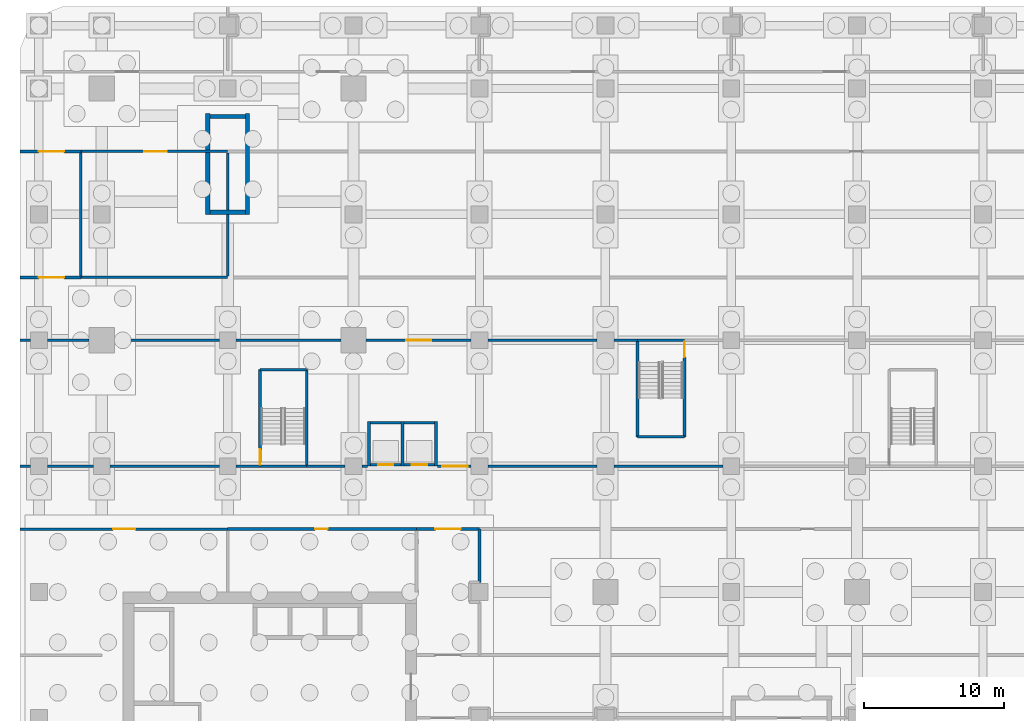
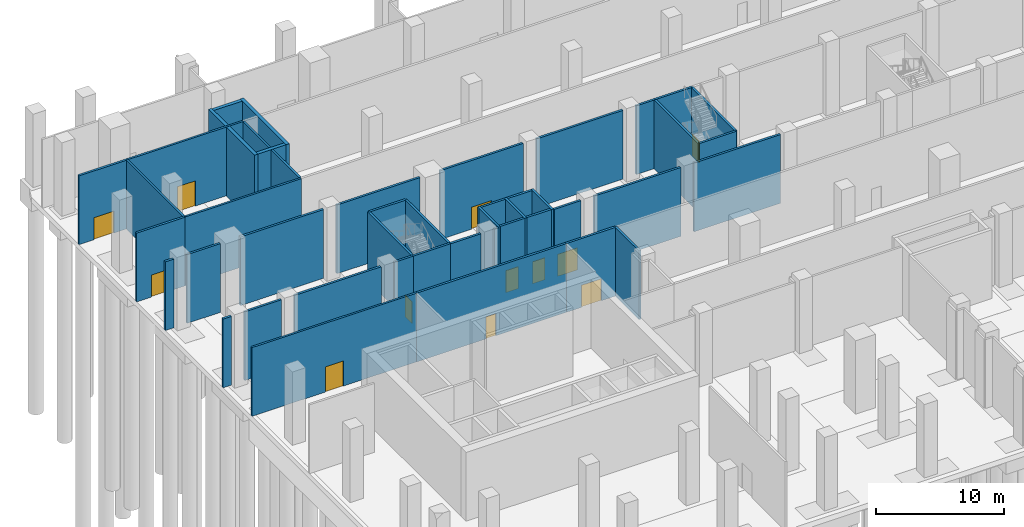
# One storey, part 9 of 23: 43 walls, 12 doors, 12 openings.
"""IFC4 building model written with IfcOpenShell, lengths in metres."""

from ifc_helpers import new_model, si_unit, direction, frame, frame_2d, origin, place, context, subcontext, project, spatial, rectangle, extrude, material, layer, layer_set, type_object, element, fill, save


model = new_model("IFC4")

# Units and contexts
model_context = context("Model", 3, precision=1e-05, world=origin(), true_north=direction((0.0, 1.0)))
body_context = subcontext(model_context, "Body", "Model", "MODEL_VIEW")
ifc_project = project(units=[si_unit("LENGTHUNIT", "METRE"), si_unit("AREAUNIT", "SQUARE_METRE"), si_unit("VOLUMEUNIT", "CUBIC_METRE"), si_unit("PLANEANGLEUNIT", "RADIAN"), si_unit("MASSUNIT", "GRAM", prefix="KILO")], contexts=[model_context])

# Site, building, storey
site_placement = place(None, origin())
site = spatial("IfcSite", under=ifc_project, at=site_placement, CompositionType="ELEMENT")
building_placement = place(site_placement, origin())
building = spatial("IfcBuilding", under=site, at=building_placement, Name="Plateau Cross Towers", CompositionType="ELEMENT")
storey_placement = place(building_placement, frame((0.0, 0.0, -7.0)))
storey = spatial("IfcBuildingStorey", under=building, at=storey_placement, Name="B1", CompositionType="ELEMENT", Elevation=-7.0)

# Wall, openings, doors
ifc_material_1 = material(Name="Concrete block, plastered both sides", Category="concrete")
ifc_layer_1 = layer(ifc_material_1, 0.199951171875)
ifc_layer_set_1 = layer_set([ifc_layer_1], Name="Concrete block, plastered both sides")
wall_type_1 = type_object("IfcWallType", Name="Core partition 200", PredefinedType="PARTITIONING", material=ifc_layer_set_1)
wall_1_placement = place(storey_placement, frame((19.0, 27.10009765625, 0.0), z_axis=(0.0, 0.0, 1.0), x_axis=(1.0, 0.0, 0.0)))
wall_1 = element("IfcWall", 1, at=wall_1_placement, inside=storey, type_object=wall_type_1, Name="Core partition", PredefinedType="PARTITIONING", context=body_context, shape_type="SweptSolid", body=[
    extrude(rectangle(XDim=5.0, YDim=0.199951171875, at=frame_2d((2.5, 0.0))), origin(), (0.0, 0.0, 1.0), 6.550048828125),
])
opening_1_placement = place(wall_1_placement, frame((0.75, 0.0, 0.0)))
opening_1 = element("IfcOpeningElement", 2, at=opening_1_placement, cuts=wall_1, Name="Opening LD", PredefinedType="OPENING", context=body_context, shape_type="SweptSolid", body=[
    extrude(rectangle(XDim=1.10009765625, YDim=2.10009765625, at=frame_2d((0.550048828125, 1.050048828125))), frame((0.0, 0.10986328125, 0.0), z_axis=(0.0, -1.0, 0.0), x_axis=(1.0, 0.0, 0.0)), (0.0, 0.0, 1.0), 0.219970703125),
])
opening_2_placement = place(wall_1_placement, frame((3.14990234375, 0.0, 0.0)))
opening_2 = element("IfcOpeningElement", 3, at=opening_2_placement, cuts=wall_1, Name="Opening LD", PredefinedType="OPENING", context=body_context, shape_type="SweptSolid", body=[
    extrude(rectangle(XDim=1.10009765625, YDim=2.10009765625, at=frame_2d((0.550048828125, 1.050048828125))), frame((0.0, 0.10986328125, 0.0), z_axis=(0.0, -1.0, 0.0), x_axis=(1.0, 0.0, 0.0)), (0.0, 0.0, 1.0), 0.219970703125),
])
ifc_material_2 = material(Name="Stainless steel, fire-resisting sliding leaves", Category="steel")
door_type_1 = type_object("IfcDoorType", Name="Lift landing door 1100", OperationType="NOTDEFINED", PredefinedType="DOOR", material=ifc_material_2)
door_1_placement = place(opening_1_placement, origin())
door_1 = element("IfcDoor", 4, at=door_1_placement, inside=storey, type_object=door_type_1, Name="Lift landing door LD", OperationType="DOUBLE_DOOR_SLIDING", OverallHeight=2.10009765625, OverallWidth=1.10009765625, PredefinedType="DOOR", context=body_context, shape_type="SweptSolid", body=[
    extrude(rectangle(XDim=1.10009765625, YDim=2.10009765625, at=frame_2d((0.550048828125, 1.050048828125))), frame((0.0, 0.02490234375, 0.0), z_axis=(0.0, -1.0, 0.0), x_axis=(1.0, 0.0, 0.0)), (0.0, 0.0, 1.0), 0.050048828125),
])
fill(opening_1, door_1)
door_2_placement = place(opening_2_placement, origin())
door_2 = element("IfcDoor", 5, at=door_2_placement, inside=storey, type_object=door_type_1, Name="Lift landing door LD", OperationType="DOUBLE_DOOR_SLIDING", OverallHeight=2.10009765625, OverallWidth=1.10009765625, PredefinedType="DOOR", context=body_context, shape_type="SweptSolid", body=[
    extrude(rectangle(XDim=1.10009765625, YDim=2.10009765625, at=frame_2d((0.550048828125, 1.050048828125))), frame((0.0, 0.02490234375, 0.0), z_axis=(0.0, -1.0, 0.0), x_axis=(1.0, 0.0, 0.0)), (0.0, 0.0, 1.0), 0.050048828125),
])
fill(opening_2, door_2)

# Walls
wall_2_placement = place(storey_placement, frame((19.0, 30.10009765625, 0.0), z_axis=(0.0, 0.0, 1.0), x_axis=(1.0, 0.0, 0.0)))
element("IfcWall", 6, at=wall_2_placement, inside=storey, type_object=wall_type_1, Name="Core partition", PredefinedType="PARTITIONING", context=body_context, shape_type="SweptSolid", body=[
    extrude(rectangle(XDim=5.0, YDim=0.199951171875, at=frame_2d((2.5, 0.0))), origin(), (0.0, 0.0, 1.0), 6.550048828125),
])
for number, where, z_axis, x_axis, name in (
    (7, (19.10009765625, 27.0, 0.0), (0.0, 0.0, 1.0), (0.0, 1.0, 0.0), "Core partition"),
    (8, (21.5, 27.0, 0.0), (0.0, 0.0, 1.0), (0.0, 1.0, 0.0), "Core partition"),
    (9, (23.89990234375, 27.0, 0.0), (0.0, 0.0, 1.0), (0.0, 1.0, 0.0), "Core partition"),
):
    element("IfcWall", number, at=place(storey_placement, frame(where, z_axis=z_axis, x_axis=x_axis)), inside=storey, type_object=wall_type_1, Name=name, PredefinedType="PARTITIONING", context=body_context, shape_type="SweptSolid", body=[
        extrude(rectangle(XDim=3.199951171875, YDim=0.199951171875, at=frame_2d((1.60009765625, 0.0))), origin(), (0.0, 0.0, 1.0), 6.550048828125),
    ])

# Wall, opening, door
ifc_material_3 = material(Name="Dense masonry block, plastered, acoustic lining", Category="masonry")
ifc_layer_2 = layer(ifc_material_3, 0.179931640625)
ifc_layer_set_2 = layer_set([ifc_layer_2], Name="Dense masonry block, plastered, acoustic lining")
wall_type_2 = type_object("IfcWallType", Name="Plant room acoustic wall 180", PredefinedType="PARTITIONING", material=ifc_layer_set_2)
wall_3_placement = place(storey_placement, frame((9.0, 22.5, 0.0), z_axis=(0.0, 0.0, 1.0), x_axis=(-1.0, 0.0, 0.0)))
wall_3 = element("IfcWall", 10, at=wall_3_placement, inside=storey, type_object=wall_type_2, Name="Partition wall", PredefinedType="PARTITIONING", context=body_context, shape_type="SweptSolid", body=[
    extrude(rectangle(XDim=14.85009765625, YDim=0.179931640625, at=frame_2d((7.425048828125, 0.0))), origin(), (0.0, 0.0, 1.0), 6.550048828125),
])
opening_3_placement = place(wall_3_placement, frame((6.60009765625, 0.0, 0.0)))
opening_3 = element("IfcOpeningElement", 11, at=opening_3_placement, cuts=wall_3, Name="Opening B1-10", PredefinedType="OPENING", context=body_context, shape_type="SweptSolid", body=[
    extrude(rectangle(XDim=1.60009765625, YDim=2.39990234375, at=frame_2d((0.800048828125, 1.199951171875))), frame((0.0, 0.099853515625, 0.0), z_axis=(0.0, -1.0, 0.0), x_axis=(1.0, 0.0, 0.0)), (0.0, 0.0, 1.0), 0.199951171875),
])
ifc_material_4 = material(Name="Steel, fire-resisting double leaf with louvre panel", Category="steel")
door_type_2 = type_object("IfcDoorType", Name="Plant room double door 1600x2400", OperationType="NOTDEFINED", PredefinedType="DOOR", material=ifc_material_4)
door_3_placement = place(opening_3_placement, origin())
door_3 = element("IfcDoor", 12, at=door_3_placement, inside=storey, type_object=door_type_2, Name="Door B1-10", OperationType="SINGLE_SWING_LEFT", OverallHeight=2.39990234375, OverallWidth=1.60009765625, PredefinedType="DOOR", context=body_context, shape_type="SweptSolid", body=[
    extrude(rectangle(XDim=1.60009765625, YDim=2.39990234375, at=frame_2d((0.800048828125, 1.199951171875))), frame((0.0, 0.02490234375, 0.0), z_axis=(0.0, -1.0, 0.0), x_axis=(1.0, 0.0, 0.0)), (0.0, 0.0, 1.0), 0.050048828125),
])
fill(opening_3, door_3)

wall_4_placement = place(storey_placement, frame((9.0, 49.5, 0.0), z_axis=(0.0, 0.0, 1.0), x_axis=(-1.0, 0.0, 0.0)))
wall_4 = element("IfcWall", 13, at=wall_4_placement, inside=storey, type_object=wall_type_2, Name="Partition wall", PredefinedType="PARTITIONING", context=body_context, shape_type="SweptSolid", body=[
    extrude(rectangle(XDim=10.5, YDim=0.179931640625, at=frame_2d((5.25, 0.0))), origin(), (0.0, 0.0, 1.0), 6.550048828125),
])
opening_4_placement = place(wall_4_placement, frame((4.35009765625, 0.0, 0.0)))
opening_4 = element("IfcOpeningElement", 14, at=opening_4_placement, cuts=wall_4, Name="Opening B1-11", PredefinedType="OPENING", context=body_context, shape_type="SweptSolid", body=[
    extrude(rectangle(XDim=1.60009765625, YDim=2.39990234375, at=frame_2d((0.800048828125, 1.199951171875))), frame((0.0, 0.099853515625, 0.0), z_axis=(0.0, -1.0, 0.0), x_axis=(1.0, 0.0, 0.0)), (0.0, 0.0, 1.0), 0.199951171875),
])
door_4_placement = place(opening_4_placement, origin())
door_4 = element("IfcDoor", 15, at=door_4_placement, inside=storey, type_object=door_type_2, Name="Door B1-11", OperationType="SINGLE_SWING_LEFT", OverallHeight=2.39990234375, OverallWidth=1.60009765625, PredefinedType="DOOR", context=body_context, shape_type="SweptSolid", body=[
    extrude(rectangle(XDim=1.60009765625, YDim=2.39990234375, at=frame_2d((0.800048828125, 1.199951171875))), frame((0.0, 0.02490234375, 0.0), z_axis=(0.0, -1.0, 0.0), x_axis=(1.0, 0.0, 0.0)), (0.0, 0.0, 1.0), 0.050048828125),
])
fill(opening_4, door_4)

# Walls
wall_5_placement = place(storey_placement, frame((-1.5, 40.5, 0.0), z_axis=(0.0, 0.0, 1.0), x_axis=(1.0, 0.0, 0.0)))
element("IfcWall", 16, at=wall_5_placement, inside=storey, type_object=wall_type_2, Name="Partition wall", PredefinedType="PARTITIONING", context=body_context, shape_type="SweptSolid", body=[
    extrude(rectangle(XDim=10.5, YDim=0.179931640625, at=frame_2d((5.25, 0.0))), origin(), (0.0, 0.0, 1.0), 6.550048828125),
])
wall_6_placement = place(storey_placement, frame((-1.5, 49.5, 0.0), z_axis=(0.0, 0.0, 1.0), x_axis=(0.0, -1.0, 0.0)))
element("IfcWall", 17, at=wall_6_placement, inside=storey, type_object=wall_type_2, Name="Partition wall", PredefinedType="PARTITIONING", context=body_context, shape_type="SweptSolid", body=[
    extrude(rectangle(XDim=9.0, YDim=0.179931640625, at=frame_2d((4.5, 0.0))), origin(), (0.0, 0.0, 1.0), 6.550048828125),
])
wall_7_placement = place(storey_placement, frame((9.0, 40.60009765625, 0.0), z_axis=(0.0, 0.0, 1.0), x_axis=(0.0, 1.0, 0.0)))
element("IfcWall", 18, at=wall_7_placement, inside=storey, type_object=wall_type_2, Name="Partition wall", PredefinedType="PARTITIONING", context=body_context, shape_type="SweptSolid", body=[
    extrude(rectangle(XDim=8.7998046875, YDim=0.179931640625, at=frame_2d((4.39990234375, 0.0))), origin(), (0.0, 0.0, 1.0), 6.550048828125),
])
ifc_material_5 = material(Name="Gypsum board on steel studs", Category="steel")
ifc_layer_3 = layer(ifc_material_5, 0.199951171875)
ifc_layer_set_3 = layer_set([ifc_layer_3], Name="Gypsum board on steel studs")
wall_type_3 = type_object("IfcWallType", Name="Podium partition 200", PredefinedType="PARTITIONING", material=ifc_layer_set_3)
wall_8_placement = place(storey_placement, frame((38.300048828125, 36.0, 0.0), z_axis=(0.0, 0.0, 1.0), x_axis=(-1.0, 0.0, 0.0)))
element("IfcWall", 19, at=wall_8_placement, inside=storey, type_object=wall_type_3, Name="Partition wall", PredefinedType="PARTITIONING", context=body_context, shape_type="SweptSolid", body=[
    extrude(rectangle(XDim=1.699951171875, YDim=0.199951171875, at=frame_2d((0.85009765625, 0.0))), origin(), (0.0, 0.0, 1.0), 6.550048828125),
])
wall_9_placement = place(storey_placement, frame((35.39990234375, 36.0, 0.0), z_axis=(0.0, 0.0, 1.0), x_axis=(-1.0, 0.0, 0.0)))
element("IfcWall", 20, at=wall_9_placement, inside=storey, type_object=wall_type_3, Name="Partition wall", PredefinedType="PARTITIONING", context=body_context, shape_type="SweptSolid", body=[
    extrude(rectangle(XDim=7.7998046875, YDim=0.199951171875, at=frame_2d((3.89990234375, 0.0))), origin(), (0.0, 0.0, 1.0), 6.550048828125),
])

# Wall, opening, door
wall_10_placement = place(storey_placement, frame((26.39990234375, 36.0, 0.0), z_axis=(0.0, 0.0, 1.0), x_axis=(-1.0, 0.0, 0.0)))
wall_10 = element("IfcWall", 21, at=wall_10_placement, inside=storey, type_object=wall_type_3, Name="Partition wall", PredefinedType="PARTITIONING", context=body_context, shape_type="SweptSolid", body=[
    extrude(rectangle(XDim=7.5, YDim=0.199951171875, at=frame_2d((3.75, 0.0))), origin(), (0.0, 0.0, 1.0), 6.550048828125),
])
opening_5_placement = place(wall_10_placement, frame((2.85009765625, 0.0, 0.0)))
opening_5 = element("IfcOpeningElement", 22, at=opening_5_placement, cuts=wall_10, Name="Opening B1-29", PredefinedType="OPENING", context=body_context, shape_type="SweptSolid", body=[
    extrude(rectangle(XDim=1.800048828125, YDim=2.10009765625, at=frame_2d((0.89990234375, 1.050048828125))), frame((0.0, 0.10986328125, 0.0), z_axis=(0.0, -1.0, 0.0), x_axis=(1.0, 0.0, 0.0)), (0.0, 0.0, 1.0), 0.219970703125),
])
ifc_material_6 = material(Name="Aluminium frame, toughened glass", Category="aluminium")
door_type_3 = type_object("IfcDoorType", Name="Podium door pair 1800", OperationType="NOTDEFINED", PredefinedType="DOOR", material=ifc_material_6)
door_5_placement = place(opening_5_placement, origin())
door_5 = element("IfcDoor", 23, at=door_5_placement, inside=storey, type_object=door_type_3, Name="Door B1-29", OperationType="DOUBLE_DOOR_SINGLE_SWING", OverallHeight=2.10009765625, OverallWidth=1.800048828125, PredefinedType="DOOR", context=body_context, shape_type="SweptSolid", body=[
    extrude(rectangle(XDim=1.800048828125, YDim=2.10009765625, at=frame_2d((0.89990234375, 1.050048828125))), frame((0.0, 0.02490234375, 0.0), z_axis=(0.0, -1.0, 0.0), x_axis=(1.0, 0.0, 0.0)), (0.0, 0.0, 1.0), 0.050048828125),
])
fill(opening_5, door_5)

# Walls
for number, where, z_axis, x_axis, name in (
    (24, (17.10009765625, 36.0, 0.0), (0.0, 0.0, 1.0), (-1.0, 0.0, 0.0), "Partition wall"),
    (25, (8.39990234375, 36.0, 0.0), (0.0, 0.0, 1.0), (-1.0, 0.0, 0.0), "Partition wall"),
):
    element("IfcWall", number, at=place(storey_placement, frame(where, z_axis=z_axis, x_axis=x_axis)), inside=storey, type_object=wall_type_3, Name=name, PredefinedType="PARTITIONING", context=body_context, shape_type="SweptSolid", body=[
        extrude(rectangle(XDim=7.5, YDim=0.199951171875, at=frame_2d((3.75, 0.0))), origin(), (0.0, 0.0, 1.0), 6.550048828125),
    ])
wall_11_placement = place(storey_placement, frame((-0.89990234375, 36.0, 0.0), z_axis=(0.0, 0.0, 1.0), x_axis=(-1.0, 0.0, 0.0)))
element("IfcWall", 26, at=wall_11_placement, inside=storey, type_object=wall_type_3, Name="Partition wall", PredefinedType="PARTITIONING", context=body_context, shape_type="SweptSolid", body=[
    extrude(rectangle(XDim=3.0, YDim=0.199951171875, at=frame_2d((1.5, 0.0))), origin(), (0.0, 0.0, 1.0), 6.550048828125),
])
wall_12_placement = place(storey_placement, frame((-5.10009765625, 36.0, 0.0), z_axis=(0.0, 0.0, 1.0), x_axis=(-1.0, 0.0, 0.0)))
element("IfcWall", 27, at=wall_12_placement, inside=storey, type_object=wall_type_3, Name="Partition wall", PredefinedType="PARTITIONING", context=body_context, shape_type="SweptSolid", body=[
    extrude(rectangle(XDim=0.75, YDim=0.199951171875, at=frame_2d((0.375, 0.0))), origin(), (0.0, 0.0, 1.0), 6.550048828125),
])

# Wall, opening, door
wall_13_placement = place(storey_placement, frame((24.0, 27.0, 0.0), z_axis=(0.0, 0.0, 1.0), x_axis=(1.0, 0.0, 0.0)))
wall_13 = element("IfcWall", 28, at=wall_13_placement, inside=storey, type_object=wall_type_3, Name="Partition wall", PredefinedType="PARTITIONING", context=body_context, shape_type="SweptSolid", body=[
    extrude(rectangle(XDim=2.39990234375, YDim=0.199951171875, at=frame_2d((1.199951171875, 0.0))), origin(), (0.0, 0.0, 1.0), 6.550048828125),
])
opening_6_placement = place(wall_13_placement, frame((0.35009765625, 0.0, 0.0)))
opening_6 = element("IfcOpeningElement", 29, at=opening_6_placement, cuts=wall_13, Name="Opening B1-30", PredefinedType="OPENING", context=body_context, shape_type="SweptSolid", body=[
    extrude(rectangle(XDim=1.800048828125, YDim=2.10009765625, at=frame_2d((0.89990234375, 1.050048828125))), frame((0.0, 0.10986328125, 0.0), z_axis=(0.0, -1.0, 0.0), x_axis=(1.0, 0.0, 0.0)), (0.0, 0.0, 1.0), 0.219970703125),
])
door_6_placement = place(opening_6_placement, origin())
door_6 = element("IfcDoor", 30, at=door_6_placement, inside=storey, type_object=door_type_3, Name="Door B1-30", OperationType="DOUBLE_DOOR_SINGLE_SWING", OverallHeight=2.10009765625, OverallWidth=1.800048828125, PredefinedType="DOOR", context=body_context, shape_type="SweptSolid", body=[
    extrude(rectangle(XDim=1.800048828125, YDim=2.10009765625, at=frame_2d((0.89990234375, 1.050048828125))), frame((0.0, 0.02490234375, 0.0), z_axis=(0.0, -1.0, 0.0), x_axis=(1.0, 0.0, 0.0)), (0.0, 0.0, 1.0), 0.050048828125),
])
fill(opening_6, door_6)

# Walls
for number, where, z_axis, x_axis, name in (
    (31, (27.60009765625, 27.0, 0.0), (0.0, 0.0, 1.0), (1.0, 0.0, 0.0), "Partition wall"),
    (32, (36.60009765625, 27.0, 0.0), (0.0, 0.0, 1.0), (1.0, 0.0, 0.0), "Partition wall"),
):
    element("IfcWall", number, at=place(storey_placement, frame(where, z_axis=z_axis, x_axis=x_axis)), inside=storey, type_object=wall_type_3, Name=name, PredefinedType="PARTITIONING", context=body_context, shape_type="SweptSolid", body=[
        extrude(rectangle(XDim=7.7998046875, YDim=0.199951171875, at=frame_2d((3.89990234375, 0.0))), origin(), (0.0, 0.0, 1.0), 6.550048828125),
    ])
wall_14_placement = place(storey_placement, frame((-5.85009765625, 27.0, 0.0), z_axis=(0.0, 0.0, 1.0), x_axis=(1.0, 0.0, 0.0)))
element("IfcWall", 33, at=wall_14_placement, inside=storey, type_object=wall_type_3, Name="Partition wall", PredefinedType="PARTITIONING", context=body_context, shape_type="SweptSolid", body=[
    extrude(rectangle(XDim=0.75, YDim=0.199951171875, at=frame_2d((0.375, 0.0))), origin(), (0.0, 0.0, 1.0), 6.550048828125),
])
wall_15_placement = place(storey_placement, frame((-3.89990234375, 27.0, 0.0), z_axis=(0.0, 0.0, 1.0), x_axis=(1.0, 0.0, 0.0)))
element("IfcWall", 34, at=wall_15_placement, inside=storey, type_object=wall_type_3, Name="Partition wall", PredefinedType="PARTITIONING", context=body_context, shape_type="SweptSolid", body=[
    extrude(rectangle(XDim=3.2998046875, YDim=0.199951171875, at=frame_2d((1.64990234375, 0.0))), origin(), (0.0, 0.0, 1.0), 6.550048828125),
])
wall_16_placement = place(storey_placement, frame((0.60009765625, 27.0, 0.0), z_axis=(0.0, 0.0, 1.0), x_axis=(1.0, 0.0, 0.0)))
element("IfcWall", 35, at=wall_16_placement, inside=storey, type_object=wall_type_3, Name="Partition wall", PredefinedType="PARTITIONING", context=body_context, shape_type="SweptSolid", body=[
    extrude(rectangle(XDim=7.7998046875, YDim=0.199951171875, at=frame_2d((3.89990234375, 0.0))), origin(), (0.0, 0.0, 1.0), 6.550048828125),
])
wall_17_placement = place(storey_placement, frame((9.60009765625, 27.0, 0.0), z_axis=(0.0, 0.0, 1.0), x_axis=(1.0, 0.0, 0.0)))
element("IfcWall", 36, at=wall_17_placement, inside=storey, type_object=wall_type_3, Name="Partition wall", PredefinedType="PARTITIONING", context=body_context, shape_type="SweptSolid", body=[
    extrude(rectangle(XDim=1.699951171875, YDim=0.199951171875, at=frame_2d((0.85009765625, 0.0))), origin(), (0.0, 0.0, 1.0), 6.550048828125),
])

# Wall, opening, door
wall_18_placement = place(storey_placement, frame((22.5, 22.5, 0.0), z_axis=(0.0, 0.0, 1.0), x_axis=(-1.0, 0.0, 0.0)))
wall_18 = element("IfcWall", 37, at=wall_18_placement, inside=storey, type_object=wall_type_3, Name="Partition wall", PredefinedType="PARTITIONING", context=body_context, shape_type="SweptSolid", body=[
    extrude(rectangle(XDim=13.5, YDim=0.199951171875, at=frame_2d((6.75, 0.0))), origin(), (0.0, 0.0, 1.0), 6.550048828125),
])
opening_7_placement = place(wall_18_placement, frame((6.35009765625, 0.0, 0.0)))
opening_7 = element("IfcOpeningElement", 38, at=opening_7_placement, cuts=wall_18, Name="Opening B1-07", PredefinedType="OPENING", context=body_context, shape_type="SweptSolid", body=[
    extrude(rectangle(XDim=0.89990234375, YDim=2.10009765625, at=frame_2d((0.449951171875, 1.050048828125))), frame((0.0, 0.10986328125, 0.0), z_axis=(0.0, -1.0, 0.0), x_axis=(1.0, 0.0, 0.0)), (0.0, 0.0, 1.0), 0.219970703125),
])
ifc_material_7 = material(Name="Timber leaf", Category="wood")
door_type_4 = type_object("IfcDoorType", Name="Podium room door 900", OperationType="NOTDEFINED", PredefinedType="DOOR", material=ifc_material_7)
door_7_placement = place(opening_7_placement, origin())
door_7 = element("IfcDoor", 39, at=door_7_placement, inside=storey, type_object=door_type_4, Name="Door B1-07", OperationType="SINGLE_SWING_LEFT", OverallHeight=2.10009765625, OverallWidth=0.89990234375, PredefinedType="DOOR", context=body_context, shape_type="SweptSolid", body=[
    extrude(rectangle(XDim=0.89990234375, YDim=2.10009765625, at=frame_2d((0.449951171875, 1.050048828125))), frame((0.0, 0.02490234375, 0.0), z_axis=(0.0, -1.0, 0.0), x_axis=(1.0, 0.0, 0.0)), (0.0, 0.0, 1.0), 0.050048828125),
])
fill(opening_7, door_7)

# Wall
wall_19_placement = place(storey_placement, frame((27.0, 22.5, 0.0), z_axis=(0.0, 0.0, 1.0), x_axis=(0.0, -1.0, 0.0)))
element("IfcWall", 40, at=wall_19_placement, inside=storey, type_object=wall_type_3, Name="Partition wall", PredefinedType="PARTITIONING", context=body_context, shape_type="SweptSolid", body=[
    extrude(rectangle(XDim=3.800048828125, YDim=0.199951171875, at=frame_2d((1.89990234375, 0.0))), origin(), (0.0, 0.0, 1.0), 6.550048828125),
])

# Wall, opening, door
wall_20_placement = place(storey_placement, frame((27.0, 22.5, 0.0), z_axis=(0.0, 0.0, 1.0), x_axis=(-1.0, 0.0, 0.0)))
wall_20 = element("IfcWall", 41, at=wall_20_placement, inside=storey, type_object=wall_type_3, Name="Partition wall", PredefinedType="PARTITIONING", context=body_context, shape_type="SweptSolid", body=[
    extrude(rectangle(XDim=4.5, YDim=0.199951171875, at=frame_2d((2.25, 0.0))), origin(), (0.0, 0.0, 1.0), 6.550048828125),
])
opening_8_placement = place(wall_20_placement, frame((1.35009765625, 0.0, 0.0)))
opening_8 = element("IfcOpeningElement", 42, at=opening_8_placement, cuts=wall_20, Name="Opening B1-31", PredefinedType="OPENING", context=body_context, shape_type="SweptSolid", body=[
    extrude(rectangle(XDim=1.800048828125, YDim=2.10009765625, at=frame_2d((0.89990234375, 1.050048828125))), frame((0.0, 0.10986328125, 0.0), z_axis=(0.0, -1.0, 0.0), x_axis=(1.0, 0.0, 0.0)), (0.0, 0.0, 1.0), 0.219970703125),
])
door_8_placement = place(opening_8_placement, origin())
door_8 = element("IfcDoor", 43, at=door_8_placement, inside=storey, type_object=door_type_3, Name="Door B1-31", OperationType="DOUBLE_DOOR_SINGLE_SWING", OverallHeight=2.10009765625, OverallWidth=1.800048828125, PredefinedType="DOOR", context=body_context, shape_type="SweptSolid", body=[
    extrude(rectangle(XDim=1.800048828125, YDim=2.10009765625, at=frame_2d((0.89990234375, 1.050048828125))), frame((0.0, 0.02490234375, 0.0), z_axis=(0.0, -1.0, 0.0), x_axis=(1.0, 0.0, 0.0)), (0.0, 0.0, 1.0), 0.050048828125),
])
fill(opening_8, door_8)

wall_21_placement = place(storey_placement, frame((-5.85009765625, 40.5, 0.0), z_axis=(0.0, 0.0, 1.0), x_axis=(1.0, 0.0, 0.0)))
wall_21 = element("IfcWall", 44, at=wall_21_placement, inside=storey, type_object=wall_type_3, Name="Partition wall", PredefinedType="PARTITIONING", context=body_context, shape_type="SweptSolid", body=[
    extrude(rectangle(XDim=4.35009765625, YDim=0.199951171875, at=frame_2d((2.175048828125, 0.0))), origin(), (0.0, 0.0, 1.0), 6.550048828125),
])
opening_9_placement = place(wall_21_placement, frame((1.35009765625, 0.0, 0.0)))
opening_9 = element("IfcOpeningElement", 45, at=opening_9_placement, cuts=wall_21, Name="Opening B1-34", PredefinedType="OPENING", context=body_context, shape_type="SweptSolid", body=[
    extrude(rectangle(XDim=1.800048828125, YDim=2.10009765625, at=frame_2d((0.89990234375, 1.050048828125))), frame((0.0, 0.10986328125, 0.0), z_axis=(0.0, -1.0, 0.0), x_axis=(1.0, 0.0, 0.0)), (0.0, 0.0, 1.0), 0.219970703125),
])
door_9_placement = place(opening_9_placement, origin())
door_9 = element("IfcDoor", 46, at=door_9_placement, inside=storey, type_object=door_type_3, Name="Door B1-34", OperationType="DOUBLE_DOOR_SINGLE_SWING", OverallHeight=2.10009765625, OverallWidth=1.800048828125, PredefinedType="DOOR", context=body_context, shape_type="SweptSolid", body=[
    extrude(rectangle(XDim=1.800048828125, YDim=2.10009765625, at=frame_2d((0.89990234375, 1.050048828125))), frame((0.0, 0.02490234375, 0.0), z_axis=(0.0, -1.0, 0.0), x_axis=(1.0, 0.0, 0.0)), (0.0, 0.0, 1.0), 0.050048828125),
])
fill(opening_9, door_9)

# Walls
wall_22_placement = place(storey_placement, frame((14.64990234375, 27.0, 0.0), z_axis=(0.0, 0.0, 1.0), x_axis=(1.0, 0.0, 0.0)))
element("IfcWall", 47, at=wall_22_placement, inside=storey, type_object=wall_type_3, Name="Partition wall", PredefinedType="PARTITIONING", context=body_context, shape_type="SweptSolid", body=[
    extrude(rectangle(XDim=2.75, YDim=0.199951171875, at=frame_2d((1.375, 0.0))), origin(), (0.0, 0.0, 1.0), 6.550048828125),
])
wall_23_placement = place(storey_placement, frame((18.60009765625, 27.0, 0.0), z_axis=(0.0, 0.0, 1.0), x_axis=(1.0, 0.0, 0.0)))
element("IfcWall", 48, at=wall_23_placement, inside=storey, type_object=wall_type_3, Name="Partition wall", PredefinedType="PARTITIONING", context=body_context, shape_type="SweptSolid", body=[
    extrude(rectangle(XDim=0.39990234375, YDim=0.199951171875, at=frame_2d((0.199951171875, 0.0))), origin(), (0.0, 0.0, 1.0), 6.550048828125),
])

# Wall, opening, door
wall_24_placement = place(storey_placement, frame((-5.85009765625, 49.5, 0.0), z_axis=(0.0, 0.0, 1.0), x_axis=(1.0, 0.0, 0.0)))
wall_24 = element("IfcWall", 49, at=wall_24_placement, inside=storey, type_object=wall_type_3, Name="Partition wall", PredefinedType="PARTITIONING", context=body_context, shape_type="SweptSolid", body=[
    extrude(rectangle(XDim=4.35009765625, YDim=0.199951171875, at=frame_2d((2.175048828125, 0.0))), origin(), (0.0, 0.0, 1.0), 6.550048828125),
])
opening_10_placement = place(wall_24_placement, frame((1.35009765625, 0.0, 0.0)))
opening_10 = element("IfcOpeningElement", 50, at=opening_10_placement, cuts=wall_24, Name="Opening B1-33", PredefinedType="OPENING", context=body_context, shape_type="SweptSolid", body=[
    extrude(rectangle(XDim=1.800048828125, YDim=2.10009765625, at=frame_2d((0.89990234375, 1.050048828125))), frame((0.0, 0.10986328125, 0.0), z_axis=(0.0, -1.0, 0.0), x_axis=(1.0, 0.0, 0.0)), (0.0, 0.0, 1.0), 0.219970703125),
])
door_10_placement = place(opening_10_placement, origin())
door_10 = element("IfcDoor", 51, at=door_10_placement, inside=storey, type_object=door_type_3, Name="Door B1-33", OperationType="DOUBLE_DOOR_SINGLE_SWING", OverallHeight=2.10009765625, OverallWidth=1.800048828125, PredefinedType="DOOR", context=body_context, shape_type="SweptSolid", body=[
    extrude(rectangle(XDim=1.800048828125, YDim=2.10009765625, at=frame_2d((0.89990234375, 1.050048828125))), frame((0.0, 0.02490234375, 0.0), z_axis=(0.0, -1.0, 0.0), x_axis=(1.0, 0.0, 0.0)), (0.0, 0.0, 1.0), 0.050048828125),
])
fill(opening_10, door_10)

ifc_material_8 = material(Name="Fire-rated plasterboard shaft wall system")
ifc_layer_4 = layer(ifc_material_8, 0.199951171875)
ifc_layer_set_4 = layer_set([ifc_layer_4], Name="Fire-rated plasterboard shaft wall system")
wall_type_4 = type_object("IfcWallType", Name="Podium stair shaft wall 200", PredefinedType="PARTITIONING", material=ifc_layer_set_4)
wall_25_placement = place(storey_placement, frame((11.300048828125, 27.0, 0.0), z_axis=(0.0, 0.0, 1.0), x_axis=(0.0, 1.0, 0.0)))
wall_25 = element("IfcWall", 52, at=wall_25_placement, inside=storey, type_object=wall_type_4, Name="Partition wall", PredefinedType="PARTITIONING", context=body_context, shape_type="SweptSolid", body=[
    extrude(rectangle(XDim=6.89990234375, YDim=0.199951171875, at=frame_2d((3.449951171875, 0.0))), origin(), (0.0, 0.0, 1.0), 6.550048828125),
])
opening_11_placement = place(wall_25_placement, frame((0.10009765625, 0.0, 0.0)))
opening_11 = element("IfcOpeningElement", 53, at=opening_11_placement, cuts=wall_25, Name="Opening B1-01", PredefinedType="OPENING", context=body_context, shape_type="SweptSolid", body=[
    extrude(rectangle(XDim=1.10009765625, YDim=2.10009765625, at=frame_2d((0.550048828125, 1.050048828125))), frame((0.0, 0.10986328125, 0.0), z_axis=(0.0, -1.0, 0.0), x_axis=(1.0, 0.0, 0.0)), (0.0, 0.0, 1.0), 0.219970703125),
])
ifc_material_9 = material(Name="Steel, fire-resisting leaf", Category="steel")
door_type_5 = type_object("IfcDoorType", Name="Podium stair door 1100", OperationType="NOTDEFINED", PredefinedType="DOOR", material=ifc_material_9)
door_11_placement = place(opening_11_placement, origin())
door_11 = element("IfcDoor", 54, at=door_11_placement, inside=storey, type_object=door_type_5, Name="Door B1-01", OperationType="SINGLE_SWING_LEFT", OverallHeight=2.10009765625, OverallWidth=1.10009765625, PredefinedType="DOOR", context=body_context, shape_type="SweptSolid", body=[
    extrude(rectangle(XDim=1.10009765625, YDim=2.10009765625, at=frame_2d((0.550048828125, 1.050048828125))), frame((0.0, 0.02490234375, 0.0), z_axis=(0.0, -1.0, 0.0), x_axis=(1.0, 0.0, 0.0)), (0.0, 0.0, 1.0), 0.050048828125),
])
fill(opening_11, door_11)

# Walls
wall_26_placement = place(storey_placement, frame((11.300048828125, 33.89990234375, 0.0), z_axis=(0.0, 0.0, 1.0), x_axis=(1.0, 0.0, 0.0)))
element("IfcWall", 55, at=wall_26_placement, inside=storey, type_object=wall_type_4, Name="Partition wall", PredefinedType="PARTITIONING", context=body_context, shape_type="SweptSolid", body=[
    extrude(rectangle(XDim=3.349853515625, YDim=0.199951171875, at=frame_2d((1.6748046875, 0.0))), origin(), (0.0, 0.0, 1.0), 6.550048828125),
])
wall_27_placement = place(storey_placement, frame((14.64990234375, 33.89990234375, 0.0), z_axis=(0.0, 0.0, 1.0), x_axis=(0.0, -1.0, 0.0)))
element("IfcWall", 56, at=wall_27_placement, inside=storey, type_object=wall_type_4, Name="Partition wall", PredefinedType="PARTITIONING", context=body_context, shape_type="SweptSolid", body=[
    extrude(rectangle(XDim=6.89990234375, YDim=0.199951171875, at=frame_2d((3.449951171875, 0.0))), origin(), (0.0, 0.0, 1.0), 6.550048828125),
])

# Wall, opening, door
wall_28_placement = place(storey_placement, frame((41.64990234375, 36.0, 0.0), z_axis=(0.0, 0.0, 1.0), x_axis=(0.0, -1.0, 0.0)))
wall_28 = element("IfcWall", 57, at=wall_28_placement, inside=storey, type_object=wall_type_4, Name="Partition wall", PredefinedType="PARTITIONING", context=body_context, shape_type="SweptSolid", body=[
    extrude(rectangle(XDim=6.89990234375, YDim=0.199951171875, at=frame_2d((3.449951171875, 0.0))), origin(), (0.0, 0.0, 1.0), 6.550048828125),
])
opening_12_placement = place(wall_28_placement, frame((0.10009765625, 0.0, 0.0)))
opening_12 = element("IfcOpeningElement", 58, at=opening_12_placement, cuts=wall_28, Name="Opening B1-02", PredefinedType="OPENING", context=body_context, shape_type="SweptSolid", body=[
    extrude(rectangle(XDim=1.10009765625, YDim=2.10009765625, at=frame_2d((0.550048828125, 1.050048828125))), frame((0.0, 0.10986328125, 0.0), z_axis=(0.0, -1.0, 0.0), x_axis=(1.0, 0.0, 0.0)), (0.0, 0.0, 1.0), 0.219970703125),
])
door_12_placement = place(opening_12_placement, origin())
door_12 = element("IfcDoor", 59, at=door_12_placement, inside=storey, type_object=door_type_5, Name="Door B1-02", OperationType="SINGLE_SWING_LEFT", OverallHeight=2.10009765625, OverallWidth=1.10009765625, PredefinedType="DOOR", context=body_context, shape_type="SweptSolid", body=[
    extrude(rectangle(XDim=1.10009765625, YDim=2.10009765625, at=frame_2d((0.550048828125, 1.050048828125))), frame((0.0, 0.02490234375, 0.0), z_axis=(0.0, -1.0, 0.0), x_axis=(1.0, 0.0, 0.0)), (0.0, 0.0, 1.0), 0.050048828125),
])
fill(opening_12, door_12)

# Walls
wall_29_placement = place(storey_placement, frame((41.64990234375, 29.10009765625, 0.0), z_axis=(0.0, 0.0, 1.0), x_axis=(-1.0, 0.0, 0.0)))
element("IfcWall", 60, at=wall_29_placement, inside=storey, type_object=wall_type_4, Name="Partition wall", PredefinedType="PARTITIONING", context=body_context, shape_type="SweptSolid", body=[
    extrude(rectangle(XDim=3.349853515625, YDim=0.199951171875, at=frame_2d((1.6748046875, 0.0))), origin(), (0.0, 0.0, 1.0), 6.550048828125),
])
wall_30_placement = place(storey_placement, frame((38.300048828125, 29.10009765625, 0.0), z_axis=(0.0, 0.0, 1.0), x_axis=(0.0, 1.0, 0.0)))
element("IfcWall", 61, at=wall_30_placement, inside=storey, type_object=wall_type_4, Name="Partition wall", PredefinedType="PARTITIONING", context=body_context, shape_type="SweptSolid", body=[
    extrude(rectangle(XDim=6.89990234375, YDim=0.199951171875, at=frame_2d((3.449951171875, 0.0))), origin(), (0.0, 0.0, 1.0), 6.550048828125),
])
for number, where, z_axis, x_axis, name in (
    (62, (38.300048828125, 36.0, 0.0), (0.0, 0.0, 1.0), (1.0, 0.0, 0.0), "Partition wall"),
    (63, (14.64990234375, 27.0, 0.0), (0.0, 0.0, 1.0), (-1.0, 0.0, 0.0), "Partition wall"),
):
    element("IfcWall", number, at=place(storey_placement, frame(where, z_axis=z_axis, x_axis=x_axis)), inside=storey, type_object=wall_type_4, Name=name, PredefinedType="PARTITIONING", context=body_context, shape_type="SweptSolid", body=[
        extrude(rectangle(XDim=3.349853515625, YDim=0.199951171875, at=frame_2d((1.6748046875, 0.0))), origin(), (0.0, 0.0, 1.0), 6.550048828125),
    ])
ifc_material_10 = material(Name="Concrete C60/75", Category="concrete")
ifc_layer_5 = layer(ifc_material_10, 0.300048828125)
ifc_layer_set_5 = layer_set([ifc_layer_5], Name="Concrete C60/75")
wall_type_5 = type_object("IfcWallType", Name="Stair tower base wall 300", PredefinedType="SHEAR", material=ifc_layer_set_5)
for number, where, z_axis, x_axis, name in (
    (64, (7.72509765625, 45.14990234375, 0.0), (0.0, 0.0, 1.0), (1.0, 0.0, 0.0), "A-end-N-S@B1"),
    (65, (7.72509765625, 52.0, 0.0), (0.0, 0.0, 1.0), (1.0, 0.0, 0.0), "A-end-N-N@B1"),
):
    element("IfcWall", number, at=place(storey_placement, frame(where, z_axis=z_axis, x_axis=x_axis)), inside=storey, type_object=wall_type_5, Name=name, PredefinedType="SHEAR", context=body_context, shape_type="SweptSolid", body=[
        extrude(rectangle(XDim=2.5498046875, YDim=0.300048828125, at=frame_2d((1.27490234375, 0.0))), origin(), (0.0, 0.0, 1.0), 6.550048828125),
    ])
for number, where, z_axis, x_axis, name in (
    (66, (7.574951171875, 45.0, 0.0), (0.0, 0.0, 1.0), (0.0, 1.0, 0.0), "A-end-N-W@B1"),
    (67, (10.425048828125, 45.0, 0.0), (0.0, 0.0, 1.0), (0.0, 1.0, 0.0), "A-end-N-E@B1"),
):
    element("IfcWall", number, at=place(storey_placement, frame(where, z_axis=z_axis, x_axis=x_axis)), inside=storey, type_object=wall_type_5, Name=name, PredefinedType="SHEAR", context=body_context, shape_type="SweptSolid", body=[
        extrude(rectangle(XDim=7.199951171875, YDim=0.300048828125, at=frame_2d((3.60009765625, 0.0))), origin(), (0.0, 0.0, 1.0), 6.550048828125),
    ])

save(model, "model.ifc")
